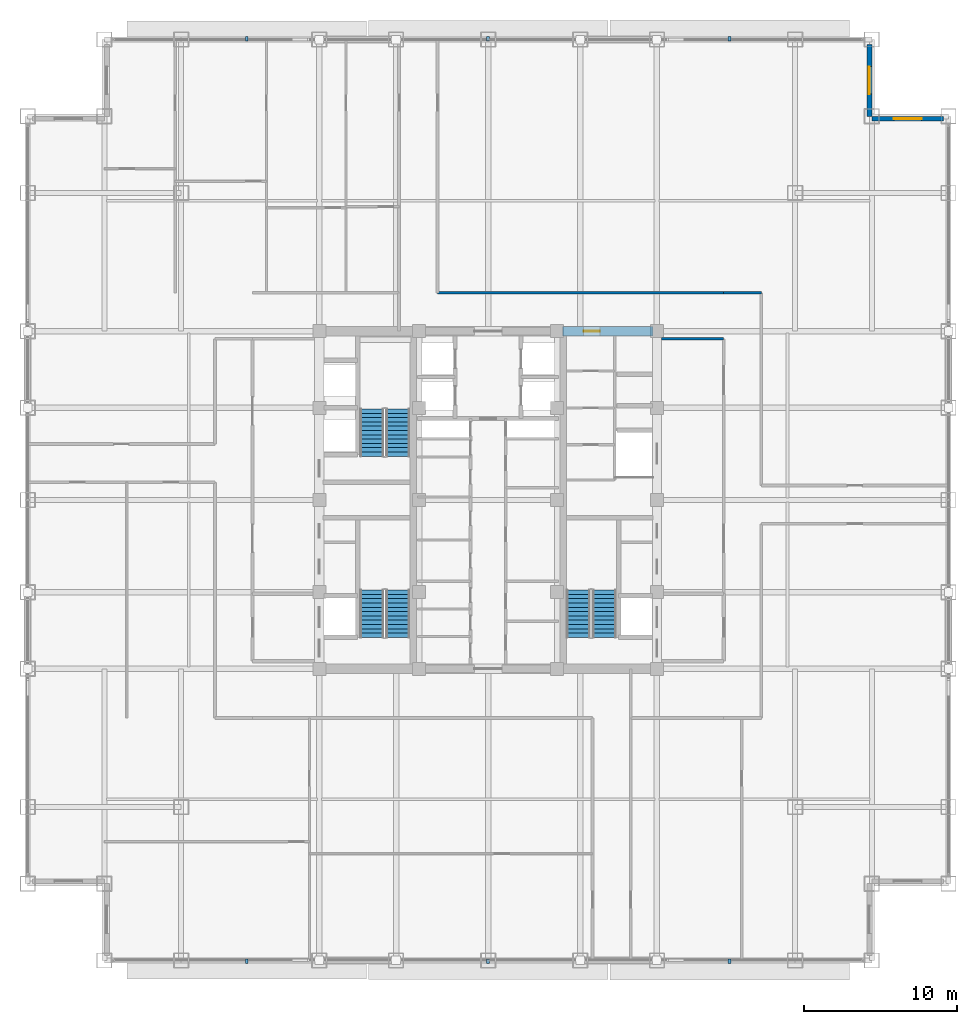
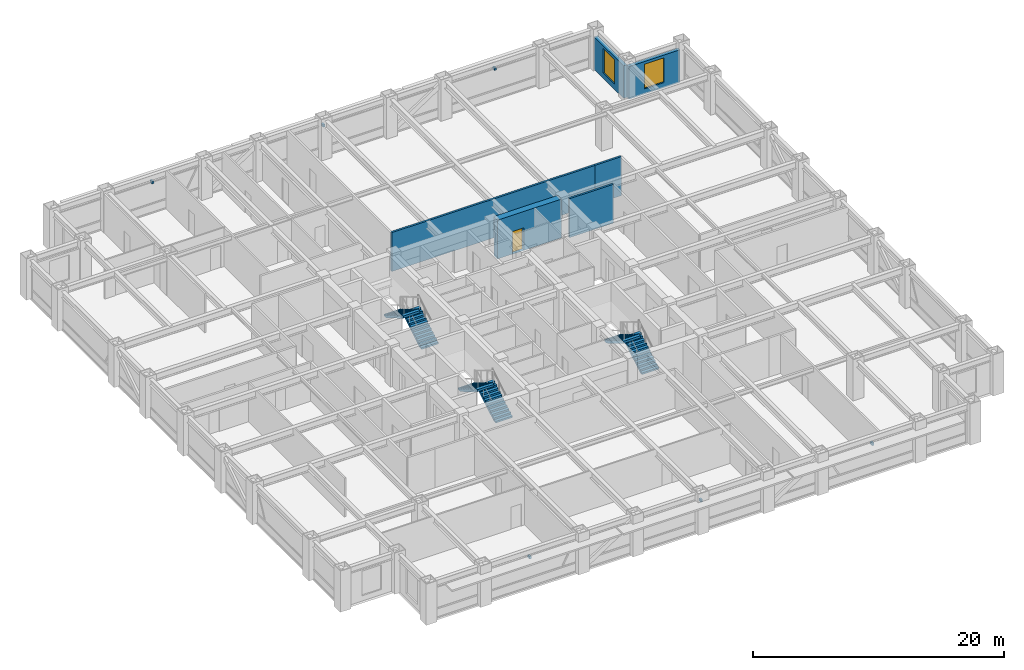
# One storey, part 24 of 29: 6 discrete accessories, 6 stair flights, 6 walls, 2 windows, 1 door, 3 openings, 3 elements without a shape of their own.
"""IFC4 building model written with IfcOpenShell, lengths in metres."""

from ifc_helpers import new_model, si_unit, direction, frame, frame_2d, origin, origin_2d, place, context, subcontext, project, spatial, polyline, rectangle, outline, extrude, source, transform, mapped, material, layer, layer_set, type_object, element, fill, aggregate, save


model = new_model("IFC4")

# Units and contexts
model_context = context("Model", 3, precision=1e-05, world=origin(), true_north=direction((0.0, 1.0)))
body_context = subcontext(model_context, "Body", "Model", "MODEL_VIEW")
ifc_project = project(units=[si_unit("LENGTHUNIT", "METRE"), si_unit("AREAUNIT", "SQUARE_METRE"), si_unit("VOLUMEUNIT", "CUBIC_METRE"), si_unit("PLANEANGLEUNIT", "RADIAN"), si_unit("MASSUNIT", "GRAM", prefix="KILO")], contexts=[model_context])

# Site, building, storey
site_placement = place(None, origin())
site = spatial("IfcSite", under=ifc_project, at=site_placement, CompositionType="ELEMENT")
building_placement = place(site_placement, origin())
building = spatial("IfcBuilding", under=site, at=building_placement, Name="Khorayat Bourse Tower", CompositionType="ELEMENT")
storey_placement = place(building_placement, frame((0.0, 0.0, 235.10009765625)))
storey = spatial("IfcBuildingStorey", under=building, at=storey_placement, Name="L55", CompositionType="ELEMENT", Elevation=235.10009765625)

# Wall, opening, door
ifc_material_1 = material(Name="Concrete C60/75", Category="concrete")
ifc_layer_1 = layer(ifc_material_1, 0.60009765625)
ifc_layer_set_1 = layer_set([ifc_layer_1], Name="Concrete C60/75")
wall_type_1 = type_object("IfcWallType", Name="WAL-CORE-600", PredefinedType="SHEAR", material=ifc_layer_set_1)
shared_shape_1 = source(origin(), body_context, "Body", "SweptSolid", [
    extrude(rectangle(XDim=5.89990234375, YDim=0.60009765625, at=frame_2d((2.949951171875, 0.0))), origin(), (0.0, 0.0, 1.0), 3.77978515625),
])
wall_1_placement = place(storey_placement, frame((4.85009765625, 11.0, 0.0), z_axis=(0.0, 0.0, 1.0), x_axis=(1.0, 0.0, 0.0)))
wall_1 = element("IfcWall", 1, at=wall_1_placement, inside=storey, type_object=wall_type_1, Name="L55 Core Shear Wall PIER-EN", PredefinedType="SHEAR", context=body_context, shape_type="MappedRepresentation", body=[
    mapped(shared_shape_1, transform((0.0, 0.0, 0.0), scale=1.0)),
])
shared_shape_2 = source(origin(), body_context, "Body", "SweptSolid", [
    extrude(rectangle(XDim=1.050048828125, YDim=2.199951171875, at=frame_2d((0.52490234375, 1.10009765625))), frame((0.0, 0.31005859375, 0.0), z_axis=(0.0, -1.0, 0.0), x_axis=(1.0, 0.0, 0.0)), (0.0, 0.0, 1.0), 0.6201171875),
])
opening_1_placement = place(wall_1_placement, frame((1.375, 0.0, 0.0)))
opening_1 = element("IfcOpeningElement", 2, at=opening_1_placement, cuts=wall_1, Name="Opening DI-04", PredefinedType="OPENING", context=body_context, shape_type="MappedRepresentation", body=[
    mapped(shared_shape_2, transform((0.0, 0.0, 0.0), scale=1.0)),
])
ifc_material_2 = material(Name="Fire-rated oak veneer suite entrance door")
door_type = type_object("IfcDoorType", Name="DR-INT-SUITE-1050", OperationType="NOTDEFINED", PredefinedType="DOOR", material=ifc_material_2)
shared_shape_3 = source(origin(), body_context, "Body", "SweptSolid", [
    extrude(rectangle(XDim=1.050048828125, YDim=2.199951171875, at=frame_2d((0.52490234375, 1.10009765625))), frame((0.0, 0.02490234375, 0.0), z_axis=(0.0, -1.0, 0.0), x_axis=(1.0, 0.0, 0.0)), (0.0, 0.0, 1.0), 0.050048828125),
])
door_placement = place(opening_1_placement, origin())
door = element("IfcDoor", 3, at=door_placement, inside=storey, type_object=door_type, Name="L55 Core Washroom Lobby Door", OperationType="SINGLE_SWING_LEFT", OverallHeight=2.199951171875, OverallWidth=1.050048828125, PredefinedType="DOOR", context=body_context, shape_type="MappedRepresentation", body=[
    mapped(shared_shape_3, transform((0.0, 0.0, 0.0), scale=1.0)),
])
fill(opening_1, door)

# Wall, opening, window
ifc_material_3 = material(Name="Precast concrete C45/55", Category="concrete")
ifc_layer_2 = layer(ifc_material_3, 0.320068359375)
ifc_layer_set_2 = layer_set([ifc_layer_2], Name="Precast concrete C45/55")
wall_type_2 = type_object("IfcWallType", Name="WAL-EXT-STONE-320", PredefinedType="STANDARD", material=ifc_layer_set_2)
shared_shape_4 = source(origin(), body_context, "Body", "SweptSolid", [
    extrude(rectangle(XDim=4.679931640625, YDim=0.320068359375, at=frame_2d((2.33984375, 0.0))), origin(), (0.0, 0.0, 1.0), 3.163818359375),
])
wall_2_placement = place(storey_placement, frame((25.0, 24.840087890625, 0.0), z_axis=(0.0, 0.0, 1.0), x_axis=(1.0, 0.0, 0.0)))
wall_2 = element("IfcWall", 4, at=wall_2_placement, inside=storey, type_object=wall_type_2, Name="L55 Re-Entrant Notch Limestone Wall NE-H", PredefinedType="STANDARD", context=body_context, shape_type="MappedRepresentation", body=[
    mapped(shared_shape_4, transform((0.0, 0.0, 0.0), scale=1.0)),
])
shared_shape_5 = source(origin(), body_context, "Body", "SweptSolid", [
    extrude(rectangle(XDim=1.800048828125, YDim=2.39990234375, at=frame_2d((0.89990234375, 1.199951171875))), frame((0.0, 0.169921875, 0.0), z_axis=(0.0, -1.0, 0.0), x_axis=(1.0, 0.0, 0.0)), (0.0, 0.0, 1.0), 0.340087890625),
])
opening_2_placement = place(wall_2_placement, frame((1.43994140625, 0.0, 0.5)))
opening_2 = element("IfcOpeningElement", 5, at=opening_2_placement, cuts=wall_2, Name="Opening WN-04", PredefinedType="OPENING", context=body_context, shape_type="MappedRepresentation", body=[
    mapped(shared_shape_5, transform((0.0, 0.0, 0.0), scale=1.0)),
])
ifc_material_4 = material(Name="Low-E acoustic laminated double glazing", Category="glass")
window_type = type_object("IfcWindowType", Name="WIN-NOTCH-1800x2400", PartitioningType="SINGLE_PANEL", PredefinedType="WINDOW", material=ifc_material_4)
shared_shape_6 = source(origin(), body_context, "Body", "SweptSolid", [
    extrude(rectangle(XDim=1.800048828125, YDim=2.39990234375, at=frame_2d((0.89990234375, 1.199951171875))), frame((0.0, 0.030029296875, 0.0), z_axis=(0.0, -1.0, 0.0), x_axis=(1.0, 0.0, 0.0)), (0.0, 0.0, 1.0), 0.06005859375),
])
window_1_placement = place(opening_2_placement, origin())
window_1 = element("IfcWindow", 6, at=window_1_placement, inside=storey, type_object=window_type, Name="L55 Facade Window 1", OverallHeight=2.39990234375, OverallWidth=1.800048828125, PartitioningType="SINGLE_PANEL", PredefinedType="WINDOW", context=body_context, shape_type="MappedRepresentation", body=[
    mapped(shared_shape_6, transform((0.0, 0.0, 0.0), scale=1.0)),
])
fill(opening_2, window_1)

wall_3_placement = place(storey_placement, frame((24.840087890625, 25.0, 0.0), z_axis=(0.0, 0.0, 1.0), x_axis=(0.0, 1.0, 0.0)))
wall_3 = element("IfcWall", 7, at=wall_3_placement, inside=storey, type_object=wall_type_2, Name="L55 Re-Entrant Notch Limestone Wall NE-V", PredefinedType="STANDARD", context=body_context, shape_type="MappedRepresentation", body=[
    mapped(shared_shape_4, transform((0.0, 0.0, 0.0), scale=1.0)),
])
opening_3_placement = place(wall_3_placement, frame((1.43994140625, 0.0, 0.5)))
opening_3 = element("IfcOpeningElement", 8, at=opening_3_placement, cuts=wall_3, Name="Opening WN-04", PredefinedType="OPENING", context=body_context, shape_type="MappedRepresentation", body=[
    mapped(shared_shape_5, transform((0.0, 0.0, 0.0), scale=1.0)),
])
window_2_placement = place(opening_3_placement, origin())
window_2 = element("IfcWindow", 9, at=window_2_placement, inside=storey, type_object=window_type, Name="L55 Facade Window 1", OverallHeight=2.39990234375, OverallWidth=1.800048828125, PartitioningType="SINGLE_PANEL", PredefinedType="WINDOW", context=body_context, shape_type="MappedRepresentation", body=[
    mapped(shared_shape_6, transform((0.0, 0.0, 0.0), scale=1.0)),
])
fill(opening_3, window_2)

# Walls
ifc_material_5 = material(Name="Gypsum plasterboard acoustic stud wall")
ifc_layer_3 = layer(ifc_material_5, 0.179931640625)
ifc_layer_set_3 = layer_set([ifc_layer_3], Name="Gypsum plasterboard acoustic stud wall")
wall_type_3 = type_object("IfcWallType", Name="WAL-PART-CORR-180", PredefinedType="PARTITIONING", material=ifc_layer_set_3)
shared_shape_7 = source(origin(), body_context, "Body", "SweptSolid", [
    extrude(rectangle(XDim=4.050048828125, YDim=0.179931640625, at=frame_2d((2.02490234375, 0.0))), origin(), (0.0, 0.0, 1.0), 3.77978515625),
])
wall_4_placement = place(storey_placement, frame((11.300048828125, 10.5, 0.0), z_axis=(0.0, 0.0, 1.0), x_axis=(1.0, 0.0, 0.0)))
element("IfcWall", 10, at=wall_4_placement, inside=storey, type_object=wall_type_3, Name="L55 Partition WAL-L55-ELOB-N", PredefinedType="PARTITIONING", context=body_context, shape_type="MappedRepresentation", body=[
    mapped(shared_shape_7, transform((0.0, 0.0, 0.0), scale=1.0)),
])
shared_shape_8 = source(origin(), body_context, "Body", "SweptSolid", [
    extrude(rectangle(XDim=2.449951171875, YDim=0.179931640625, at=frame_2d((1.22509765625, 0.0))), origin(), (0.0, 0.0, 1.0), 3.77978515625),
])
wall_5_placement = place(storey_placement, frame((15.35009765625, 13.5, 0.0), z_axis=(0.0, 0.0, 1.0), x_axis=(1.0, 0.0, 0.0)))
element("IfcWall", 11, at=wall_5_placement, inside=storey, type_object=wall_type_3, Name="L55 Partition WAL-L55-C2-EN", PredefinedType="PARTITIONING", context=body_context, shape_type="MappedRepresentation", body=[
    mapped(shared_shape_8, transform((0.0, 0.0, 0.0), scale=1.0)),
])
shared_shape_9 = source(origin(), body_context, "Body", "SweptSolid", [
    extrude(rectangle(XDim=18.650146484375, YDim=0.179931640625, at=frame_2d((9.3251953125, 0.0))), origin(), (0.0, 0.0, 1.0), 3.77978515625),
])
wall_6_placement = place(storey_placement, frame((-3.300048828125, 13.5, 0.0), z_axis=(0.0, 0.0, 1.0), x_axis=(1.0, 0.0, 0.0)))
element("IfcWall", 12, at=wall_6_placement, inside=storey, type_object=wall_type_3, Name="L55 Partition WAL-L55-QNE-HC", PredefinedType="PARTITIONING", context=body_context, shape_type="MappedRepresentation", body=[
    mapped(shared_shape_9, transform((0.0, 0.0, 0.0), scale=1.0)),
])

# Stair, stair flights
ifc_material_6 = material(Name="Concrete C40/50", Category="concrete")
stair_type = type_object("IfcStairType", Name="STR-CORE-1550", PredefinedType="HALF_TURN_STAIR", material=ifc_material_6)
stair_1_placement = place(storey_placement, origin())
stair_1 = element("IfcStair", 13, at=stair_1_placement, inside=storey, type_object=stair_type, Name="L55 Exit Stair ST-1", PredefinedType="HALF_TURN_STAIR")
stair_flight_type = type_object("IfcStairFlightType", Name="FLT-CORE-1550", PredefinedType="STRAIGHT", material=ifc_material_6)
shared_shape_10 = source(origin(), body_context, "Body", "SweptSolid", [
    extrude(outline(polyline([(0.0, 0.0), (0.0, 0.166748046875), (0.280029296875, 0.166748046875), (0.280029296875, 0.333251953125), (0.56005859375, 0.333251953125), (0.56005859375, 0.5), (0.840087890625, 0.5), (0.840087890625, 0.666748046875), (1.1201171875, 0.666748046875), (1.1201171875, 0.833251953125), (1.39990234375, 0.833251953125), (1.39990234375, 1.0), (1.679931640625, 1.0), (1.679931640625, 1.166748046875), (1.9599609375, 1.166748046875), (1.9599609375, 1.333251953125), (2.239990234375, 1.333251953125), (2.239990234375, 1.5), (2.52001953125, 1.5), (2.52001953125, 1.666748046875), (2.800048828125, 1.666748046875), (2.800048828125, 1.833251953125), (3.080078125, 1.833251953125), (3.080078125, 2.0), (3.080078125, 1.6240234375), (0.351806640625, 0.0), (0.0, 0.0)])), frame((0.0, 0.77490234375, 0.0), z_axis=(0.0, -1.0, 0.0), x_axis=(1.0, 0.0, 0.0)), (0.0, 0.0, 1.0), 1.550048828125),
])
stair_flight_1_placement = place(storey_placement, frame((-5.875, -8.949951171875, 0.0), z_axis=(0.0, 0.0, 1.0), x_axis=(0.0, 1.0, 0.0)))
stair_flight_1 = element("IfcStairFlight", 14, at=stair_flight_1_placement, type_object=stair_flight_type, Name="ST-1 flight 1", NumberOfRisers=12, NumberOfTreads=11, PredefinedType="STRAIGHT", RiserHeight=0.166666667, TreadLength=0.28, context=body_context, shape_type="MappedRepresentation", body=[
    mapped(shared_shape_10, transform((0.0, 0.0, 0.0), scale=1.0)),
])
stair_flight_2_placement = place(storey_placement, frame((-7.574951171875, -5.8701171875, 2.0), z_axis=(0.0, 0.0, 1.0), x_axis=(0.0, -1.0, 0.0)))
stair_flight_2 = element("IfcStairFlight", 15, at=stair_flight_2_placement, type_object=stair_flight_type, Name="ST-1 flight 2", NumberOfRisers=12, NumberOfTreads=11, PredefinedType="STRAIGHT", RiserHeight=0.166666667, TreadLength=0.28, context=body_context, shape_type="MappedRepresentation", body=[
    mapped(shared_shape_10, transform((0.0, 0.0, 0.0), scale=1.0)),
])
aggregate(stair_1, [stair_flight_1, stair_flight_2])

stair_2_placement = place(storey_placement, origin())
stair_2 = element("IfcStair", 16, at=stair_2_placement, inside=storey, type_object=stair_type, Name="L55 Exit Stair ST-2", PredefinedType="HALF_TURN_STAIR")
stair_flight_3_placement = place(storey_placement, frame((-5.875, 2.85009765625, 0.0), z_axis=(0.0, 0.0, 1.0), x_axis=(0.0, 1.0, 0.0)))
stair_flight_3 = element("IfcStairFlight", 17, at=stair_flight_3_placement, type_object=stair_flight_type, Name="ST-2 flight 1", NumberOfRisers=12, NumberOfTreads=11, PredefinedType="STRAIGHT", RiserHeight=0.166666667, TreadLength=0.28, context=body_context, shape_type="MappedRepresentation", body=[
    mapped(shared_shape_10, transform((0.0, 0.0, 0.0), scale=1.0)),
])
stair_flight_4_placement = place(storey_placement, frame((-7.574951171875, 5.929931640625, 2.0), z_axis=(0.0, 0.0, 1.0), x_axis=(0.0, -1.0, 0.0)))
stair_flight_4 = element("IfcStairFlight", 18, at=stair_flight_4_placement, type_object=stair_flight_type, Name="ST-2 flight 2", NumberOfRisers=12, NumberOfTreads=11, PredefinedType="STRAIGHT", RiserHeight=0.166666667, TreadLength=0.28, context=body_context, shape_type="MappedRepresentation", body=[
    mapped(shared_shape_10, transform((0.0, 0.0, 0.0), scale=1.0)),
])
aggregate(stair_2, [stair_flight_3, stair_flight_4])

stair_3_placement = place(storey_placement, origin())
stair_3 = element("IfcStair", 19, at=stair_3_placement, inside=storey, type_object=stair_type, Name="L55 Exit Stair ST-3", PredefinedType="HALF_TURN_STAIR")
stair_flight_5_placement = place(storey_placement, frame((7.574951171875, -8.949951171875, 0.0), z_axis=(0.0, 0.0, 1.0), x_axis=(0.0, 1.0, 0.0)))
stair_flight_5 = element("IfcStairFlight", 20, at=stair_flight_5_placement, type_object=stair_flight_type, Name="ST-3 flight 1", NumberOfRisers=12, NumberOfTreads=11, PredefinedType="STRAIGHT", RiserHeight=0.166666667, TreadLength=0.28, context=body_context, shape_type="MappedRepresentation", body=[
    mapped(shared_shape_10, transform((0.0, 0.0, 0.0), scale=1.0)),
])
stair_flight_6_placement = place(storey_placement, frame((5.875, -5.8701171875, 2.0), z_axis=(0.0, 0.0, 1.0), x_axis=(0.0, -1.0, 0.0)))
stair_flight_6 = element("IfcStairFlight", 21, at=stair_flight_6_placement, type_object=stair_flight_type, Name="ST-3 flight 2", NumberOfRisers=12, NumberOfTreads=11, PredefinedType="STRAIGHT", RiserHeight=0.166666667, TreadLength=0.28, context=body_context, shape_type="MappedRepresentation", body=[
    mapped(shared_shape_10, transform((0.0, 0.0, 0.0), scale=1.0)),
])
aggregate(stair_3, [stair_flight_5, stair_flight_6])

# Discrete accessories
ifc_material_7 = material(Name="Steel EN 10025-2 S355J2", Category="steel")
discrete_accessory_type = type_object("IfcDiscreteAccessoryType", Name="ACC-SHADE-BRACKET", PredefinedType="BRACKET", material=ifc_material_7)
shared_shape_11 = source(origin(), body_context, "Body", "SweptSolid", [
    extrude(rectangle(XDim=0.179931640625, YDim=0.300048828125, at=origin_2d()), origin(), (0.0, 0.0, 1.0), 0.239990234375),
])
for number, where, z_axis, x_axis, name in (
    (22, (-15.7333984375, -30.06005859375, 2.8798828125), (0.0, 0.0, 1.0), (1.0, 0.0, 0.0), "L55 Sunshade Support Bracket S-1"),
    (23, (0.0, -30.06005859375, 2.8798828125), (0.0, 0.0, 1.0), (1.0, 0.0, 0.0), "L55 Sunshade Support Bracket S-2"),
    (24, (15.7333984375, -30.06005859375, 2.8798828125), (0.0, 0.0, 1.0), (1.0, 0.0, 0.0), "L55 Sunshade Support Bracket S-3"),
    (25, (-15.7333984375, 30.06005859375, 2.8798828125), (0.0, 0.0, 1.0), (1.0, 0.0, 0.0), "L55 Sunshade Support Bracket N-1"),
    (26, (0.0, 30.06005859375, 2.8798828125), (0.0, 0.0, 1.0), (1.0, 0.0, 0.0), "L55 Sunshade Support Bracket N-2"),
    (27, (15.7333984375, 30.06005859375, 2.8798828125), (0.0, 0.0, 1.0), (1.0, 0.0, 0.0), "L55 Sunshade Support Bracket N-3"),
):
    element("IfcDiscreteAccessory", number, at=place(storey_placement, frame(where, z_axis=z_axis, x_axis=x_axis)), inside=storey, type_object=discrete_accessory_type, Name=name, PredefinedType="BRACKET", context=body_context, shape_type="MappedRepresentation", body=[
        mapped(shared_shape_11, transform((0.0, 0.0, 0.0), scale=1.0)),
    ])

save(model, "model.ifc")
